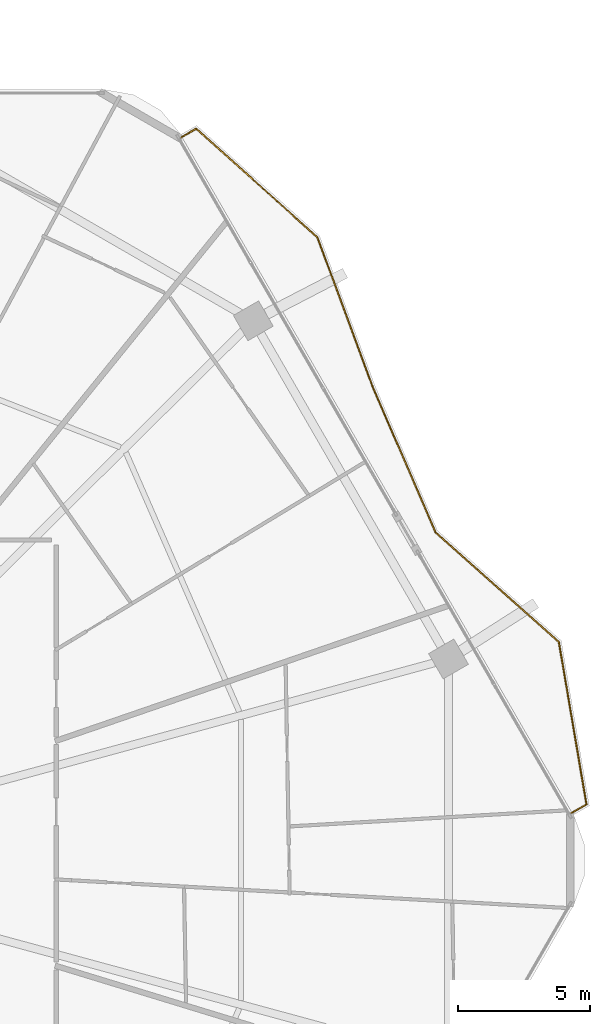
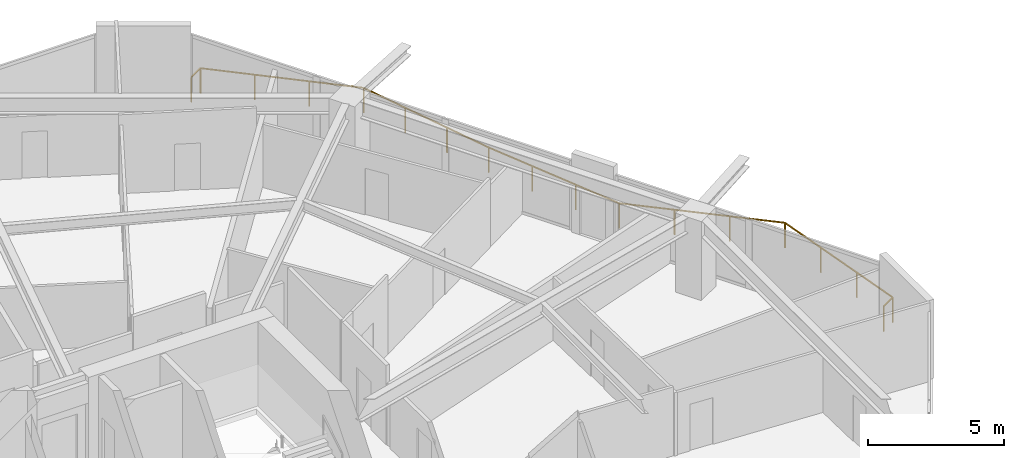
# One storey, part 32 of 32: 1 railing.
"""IFC4 building model written with IfcOpenShell, lengths in metres."""

import ifcopenshell
import ifcopenshell.guid

model = None  # the IFC model being written
_history = None  # IfcOwnerHistory: only IFC2X3 demands one
_inside = {}  # id of a spatial element -> (the spatial element, [elements in it])
_under = {}  # id of a project, library or spatial element -> (it, [spatial elements below it])
_declared = {}  # id of a project -> (the project, [libraries it declares])
_typed = {}  # id of a type object -> (the type object, [elements of that type])
_made_of = {}  # id of a material, layer set ... -> (it, [elements and type objects made of it])


def new_model(schema):
    """Start an empty IFC model of exactly this schema.

    Asked for "IFC4X3", IfcOpenShell would pick the latest addendum, in which some entities
    have other attributes; the version numbers below select the first issue.
    IFC2X3 requires an IfcOwnerHistory on every rooted entity: one is made here for all.
    """
    global model, _history
    if schema == "IFC4X3":
        model = ifcopenshell.file(schema_version=(4, 3, 0, 0))
    else:
        model = ifcopenshell.file(schema=schema)
    _inside.clear()
    _under.clear()
    _declared.clear()
    _typed.clear()
    _made_of.clear()
    _history = None
    if model.schema == "IFC2X3":
        org = make("IfcOrganization", Name="unknown")
        user = make(
            "IfcPersonAndOrganization",
            ThePerson=make("IfcPerson", FamilyName="unknown"),
            TheOrganization=org,
        )
        app = make(
            "IfcApplication",
            ApplicationDeveloper=org,
            Version="unknown",
            ApplicationFullName="unknown",
            ApplicationIdentifier="unknown",
        )
        _history = make(
            "IfcOwnerHistory",
            OwningUser=user,
            OwningApplication=app,
            ChangeAction="ADDED",
            CreationDate=0,
        )
    return model


def make(cls, **values):
    """One entity of the class cls with the attributes given. An attribute that is None is left unset."""
    return model.create_entity(
        cls, **{name: value for name, value in values.items() if value is not None}
    )


def rooted(cls, **values):
    """An entity with a GlobalId (a new one), such as an element, a storey or a relation."""
    return make(cls, GlobalId=ifcopenshell.guid.new(), OwnerHistory=_history, **values)


def si_unit(unit_type, name, prefix=None):
    """IfcSIUnit, for example si_unit("LENGTHUNIT", "METRE", prefix="MILLI")."""
    return make("IfcSIUnit", UnitType=unit_type, Prefix=prefix, Name=name)


def assignment(units):
    """IfcUnitAssignment: the units of a project."""
    return None if units is None else make("IfcUnitAssignment", Units=units)


def point(xyz):
    """IfcCartesianPoint."""
    return None if xyz is None else make("IfcCartesianPoint", Coordinates=xyz)


def direction(xyz):
    """IfcDirection."""
    return None if xyz is None else make("IfcDirection", DirectionRatios=xyz)


def frame(location, z_axis=None, x_axis=None):
    """IfcAxis2Placement3D, a coordinate frame: its origin and axes. An axis left out is left unset."""
    return make(
        "IfcAxis2Placement3D",
        Location=point(location),
        Axis=direction(z_axis),
        RefDirection=direction(x_axis),
    )


def frame_2d(location, x_axis=None):
    """IfcAxis2Placement2D, a coordinate frame in the plane: its origin and x axis."""
    return make(
        "IfcAxis2Placement2D", Location=point(location), RefDirection=direction(x_axis)
    )


def origin():
    """The frame at (0, 0, 0) with its axes left unset."""
    return frame((0.0, 0.0, 0.0))


def origin_2d():
    """The frame at (0, 0) in the plane with its x axis left unset."""
    return frame_2d((0.0, 0.0))


def place(relative_to, where):
    """IfcLocalPlacement: puts the frame where relative to a parent placement (None: the world)."""
    return make(
        "IfcLocalPlacement", PlacementRelTo=relative_to, RelativePlacement=where
    )


def context(
    kind, dimensions, precision=None, world=None, true_north=None, identifier=None
):
    """IfcGeometricRepresentationContext, for example the 3D "Model" context."""
    return make(
        "IfcGeometricRepresentationContext",
        ContextIdentifier=identifier,
        ContextType=kind,
        CoordinateSpaceDimension=dimensions,
        Precision=precision,
        WorldCoordinateSystem=world,
        TrueNorth=true_north,
    )


def subcontext(parent, identifier, kind, view, scale=None):
    """IfcGeometricRepresentationSubContext, for example "Body" below "Model"."""
    return make(
        "IfcGeometricRepresentationSubContext",
        ContextIdentifier=identifier,
        ContextType=kind,
        ParentContext=parent,
        TargetScale=scale,
        TargetView=view,
    )


def project(units=None, contexts=None):
    """IfcProject with its units and contexts."""
    return rooted(
        "IfcProject",
        Name="project",
        RepresentationContexts=contexts,
        UnitsInContext=assignment(units),
    )


def spatial(cls, under=None, at=None, **own):
    """A site, building, storey or space (cls), placed at a placement, below another one or the project."""
    s = rooted(cls, ObjectPlacement=at, **own)
    if under is not None:
        _under.setdefault(under.id(), (under, []))[1].append(s)
    return s


def profile(cls, at=None, kind="AREA", **sizes):
    """A parametric profile (cls). Its sizes go by their IFC names, for example OverallWidth=200.0."""
    return make(cls, ProfileType=kind, Position=at, **sizes)


def rectangle(**sizes):
    """IfcRectangleProfileDef."""
    return profile("IfcRectangleProfileDef", **sizes)


def extrude(swept, where, along, depth):
    """IfcExtrudedAreaSolid: the profile swept, set in the frame where, extruded along a direction by depth."""
    return make(
        "IfcExtrudedAreaSolid",
        SweptArea=swept,
        Position=where,
        ExtrudedDirection=direction(along),
        Depth=depth,
    )


def shape(context_of_items, identifier, shape_type, items):
    """IfcShapeRepresentation: the items that make up one representation, for example the "Body"."""
    return make(
        "IfcShapeRepresentation",
        ContextOfItems=context_of_items,
        RepresentationIdentifier=identifier,
        RepresentationType=shape_type,
        Items=items,
    )


def material(Name=None, Category=None):
    """IfcMaterial."""
    return make("IfcMaterial", Name=Name, Category=Category)


def made_of(thing, what):
    """Note that an element or type object is made of a material, layer set ...; save() writes the relation."""
    if what is not None:
        _made_of.setdefault(what.id(), (what, []))[1].append(thing)
    return thing


def type_object(cls, material=None, **own):
    """A type object (cls), such as IfcWallType, which elements share."""
    return made_of(rooted(cls, **own), material)


def element(
    cls,
    number,
    at=None,
    inside=None,
    cuts=None,
    type_object=None,
    material=None,
    context=None,
    identifier="Body",
    shape_type=None,
    held_by="IfcProductDefinitionShape",
    body=None,
    shapes=None,
    **own,
):
    """One element of the class cls, such as IfcWall. Its Tag is "e" and its number.

    at: its placement. inside: the storey or other place that contains it. cuts: it is an
    opening in that element (IfcRelVoidsElement). A single representation is given by context,
    identifier, shape_type and body (its items); several are given by shapes. held_by: the class
    of the entity that holds the representations. save() writes the other relations.
    """
    e = rooted(cls, Tag="e%d" % number, ObjectPlacement=at, **own)
    if body is not None:
        shapes = [shape(context, identifier, shape_type, body)]
    if shapes is not None:
        e.Representation = make(held_by, Representations=shapes)
    if inside is not None:
        _inside.setdefault(inside.id(), (inside, []))[1].append(e)
    if cuts is not None:
        rooted(
            "IfcRelVoidsElement", RelatingBuildingElement=cuts, RelatedOpeningElement=e
        )
    if type_object is not None:
        _typed.setdefault(type_object.id(), (type_object, []))[1].append(e)
    return made_of(e, material)


def aggregate(whole, parts):
    """IfcRelAggregates: a whole, such as a stair, and the parts it consists of."""
    return rooted("IfcRelAggregates", RelatingObject=whole, RelatedObjects=parts)


def save(model, path):
    """Write the relations noted so far, then the file.

    IfcRelAggregates (storeys below a building ...), IfcRelContainedInSpatialStructure (elements
    in a storey), IfcRelDefinesByType, IfcRelAssociatesMaterial and IfcRelDeclares: one each for
    every whole, place, type object, material and project.
    """
    for whole, parts in _under.values():
        aggregate(whole, parts)
    for where, things in _inside.values():
        rooted(
            "IfcRelContainedInSpatialStructure",
            RelatedElements=things,
            RelatingStructure=where,
        )
    for kind, things in _typed.values():
        rooted("IfcRelDefinesByType", RelatedObjects=things, RelatingType=kind)
    for what, things in _made_of.values():
        rooted("IfcRelAssociatesMaterial", RelatedObjects=things, RelatingMaterial=what)
    for by, libraries in _declared.values():
        rooted("IfcRelDeclares", RelatingContext=by, RelatedDefinitions=libraries)
    model.write(path)


model = new_model("IFC4")

# Units and contexts
model_context = context("Model", 3, precision=1e-05, world=origin(), true_north=direction((0.0, 1.0)))
body_context = subcontext(model_context, "Body", "Model", "MODEL_VIEW")
ifc_project = project(units=[si_unit("LENGTHUNIT", "METRE"), si_unit("AREAUNIT", "SQUARE_METRE"), si_unit("VOLUMEUNIT", "CUBIC_METRE"), si_unit("PLANEANGLEUNIT", "RADIAN"), si_unit("MASSUNIT", "GRAM", prefix="KILO")], contexts=[model_context])

# Site, building, storey
site_placement = place(None, origin())
site = spatial("IfcSite", under=ifc_project, at=site_placement, CompositionType="ELEMENT")
building_placement = place(site_placement, origin())
building = spatial("IfcBuilding", under=site, at=building_placement, Name="Zuhravey Tower", CompositionType="ELEMENT")
storey_placement = place(building_placement, frame((0.0, 0.0, 111.39990234375)))
storey = spatial("IfcBuildingStorey", under=building, at=storey_placement, Name="L27", CompositionType="ELEMENT", Elevation=111.39990234375)

# Railing
ifc_material = material(Name="Stainless steel 316 and laminated glass", Category="steel")
railing_type = type_object("IfcRailingType", Name="Balcony & Terrace Guardrail 1150", PredefinedType="BALUSTRADE", material=ifc_material)
railing_placement = place(storey_placement, frame((53.7880859375, 59.27685546875, 0.0)))
element("IfcRailing", 1, at=railing_placement, inside=storey, type_object=railing_type, Name="L27 Face 1 Wave Balcony Guardrail GR1", PredefinedType="BALUSTRADE", context=body_context, shape_type="SweptSolid", body=[
    extrude(rectangle(XDim=0.048095703125, YDim=0.048095703125, at=origin_2d()), frame((0.001708984375, 0.0009765625, 1.1259765625), z_axis=(0.866051602307, 0.499954620082, 0.0), x_axis=(-0.499954620082, 0.866051602307, 0.0)), (0.0, 0.0, 1.0), 0.66357421875),
    extrude(rectangle(XDim=0.048095703125, YDim=0.048095703125, at=origin_2d()), frame((0.57958984375, 0.33251953125, 1.1259765625), z_axis=(0.744380050138, -0.667756198741, 0.0), x_axis=(0.667756198741, 0.744380050138, 0.0)), (0.0, 0.0, 1.0), 6.138916015625),
    extrude(rectangle(XDim=0.048095703125, YDim=0.048095703125, at=origin_2d()), frame((5.151611328125, -3.770263671875, 1.1259765625), z_axis=(0.346822264551, -0.937930869954, 0.0), x_axis=(0.937930869954, 0.346822264551, 0.0)), (0.0, 0.0, 1.0), 5.991455078125),
    extrude(rectangle(XDim=0.048095703125, YDim=0.048095703125, at=origin_2d()), frame((7.23095703125, -9.3935546875, 1.1259765625), z_axis=(0.396148994733, -0.918186241441, 0.0), x_axis=(0.918186241441, 0.396148994733, 0.0)), (0.0, 0.0, 1.0), 5.992431640625),
    extrude(rectangle(XDim=0.048095703125, YDim=0.048095703125, at=origin_2d()), frame((9.607177734375, -14.898681640625, 1.1259765625), z_axis=(0.747255946828, -0.664536342069, 0.0), x_axis=(0.664536342069, 0.747255946828, 0.0)), (0.0, 0.0, 1.0), 6.232421875),
    extrude(rectangle(XDim=0.048095703125, YDim=0.048095703125, at=origin_2d()), frame((14.26611328125, -19.043701171875, 1.1259765625), z_axis=(0.167681689473, -0.985841189551, 0.0), x_axis=(0.985841189551, 0.167681689473, 0.0)), (0.0, 0.0, 1.0), 6.21728515625),
    extrude(rectangle(XDim=0.048095703125, YDim=0.048095703125, at=origin_2d()), frame((15.307373046875, -25.176025390625, 1.1259765625), z_axis=(-0.866015774862, -0.500016677412, 0.0), x_axis=(0.500016677412, -0.866015774862, 0.0)), (0.0, 0.0, 1.0), 0.66650390625),
    extrude(rectangle(XDim=0.0419921875, YDim=0.0419921875, at=origin_2d()), origin(), (0.0, 0.0, 1.0), 1.099853515625),
    extrude(rectangle(XDim=0.0419921875, YDim=0.0419921875, at=origin_2d()), frame((0.578125, 0.333740234375, 0.0)), (0.0, 0.0, 1.0), 1.099853515625),
    extrude(rectangle(XDim=0.0419921875, YDim=0.0419921875, at=origin_2d()), frame((2.102294921875, -1.03369140625, 0.0)), (0.0, 0.0, 1.0), 1.099853515625),
    extrude(rectangle(XDim=0.0419921875, YDim=0.0419921875, at=origin_2d()), frame((3.626708984375, -2.40087890625, 0.0)), (0.0, 0.0, 1.0), 1.099853515625),
    extrude(rectangle(XDim=0.0419921875, YDim=0.0419921875, at=origin_2d()), frame((5.15087890625, -3.768310546875, 0.0)), (0.0, 0.0, 1.0), 1.099853515625),
    extrude(rectangle(XDim=0.0419921875, YDim=0.0419921875, at=origin_2d()), frame((5.843994140625, -5.642822265625, 0.0)), (0.0, 0.0, 1.0), 1.099853515625),
    extrude(rectangle(XDim=0.0419921875, YDim=0.0419921875, at=origin_2d()), frame((6.537109375, -7.51708984375, 0.0)), (0.0, 0.0, 1.0), 1.099853515625),
    extrude(rectangle(XDim=0.0419921875, YDim=0.0419921875, at=origin_2d()), frame((7.230224609375, -9.3916015625, 0.0)), (0.0, 0.0, 1.0), 1.099853515625),
    extrude(rectangle(XDim=0.0419921875, YDim=0.0419921875, at=origin_2d()), frame((8.02197265625, -11.226806640625, 0.0)), (0.0, 0.0, 1.0), 1.099853515625),
    extrude(rectangle(XDim=0.0419921875, YDim=0.0419921875, at=origin_2d()), frame((8.81396484375, -13.062255859375, 0.0)), (0.0, 0.0, 1.0), 1.099853515625),
    extrude(rectangle(XDim=0.0419921875, YDim=0.0419921875, at=origin_2d()), frame((9.605712890625, -14.8974609375, 0.0)), (0.0, 0.0, 1.0), 1.099853515625),
    extrude(rectangle(XDim=0.0419921875, YDim=0.0419921875, at=origin_2d()), frame((11.1591796875, -16.27880859375, 0.0)), (0.0, 0.0, 1.0), 1.099853515625),
    extrude(rectangle(XDim=0.0419921875, YDim=0.0419921875, at=origin_2d()), frame((12.71240234375, -17.660400390625, 0.0)), (0.0, 0.0, 1.0), 1.099853515625),
    extrude(rectangle(XDim=0.0419921875, YDim=0.0419921875, at=origin_2d()), frame((14.265869140625, -19.041748046875, 0.0)), (0.0, 0.0, 1.0), 1.099853515625),
    extrude(rectangle(XDim=0.0419921875, YDim=0.0419921875, at=origin_2d()), frame((14.613525390625, -21.086181640625, 0.0)), (0.0, 0.0, 1.0), 1.099853515625),
    extrude(rectangle(XDim=0.0419921875, YDim=0.0419921875, at=origin_2d()), frame((14.96142578125, -23.130615234375, 0.0)), (0.0, 0.0, 1.0), 1.099853515625),
    extrude(rectangle(XDim=0.0419921875, YDim=0.0419921875, at=origin_2d()), frame((15.30908203125, -25.175048828125, 0.0)), (0.0, 0.0, 1.0), 1.099853515625),
    extrude(rectangle(XDim=0.0419921875, YDim=0.0419921875, at=origin_2d()), frame((14.728515625, -25.51025390625, 0.0)), (0.0, 0.0, 1.0), 1.099853515625),
])

save(model, "model.ifc")
